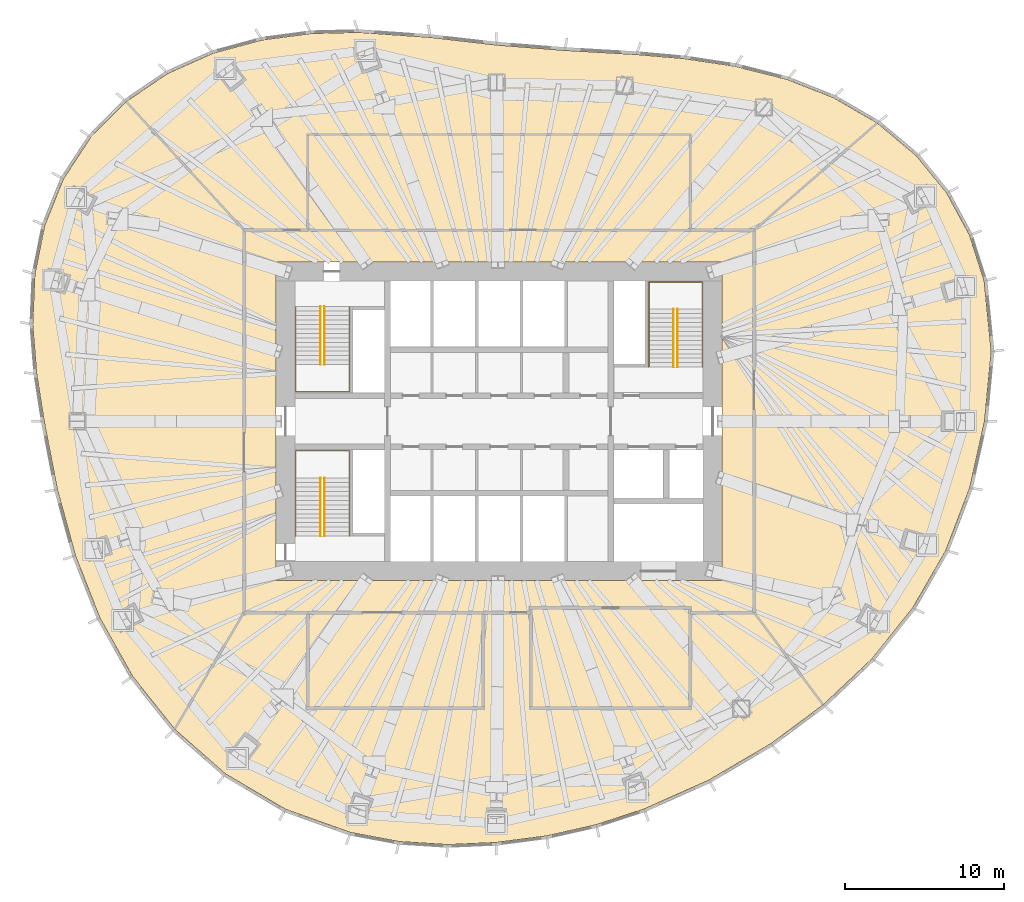
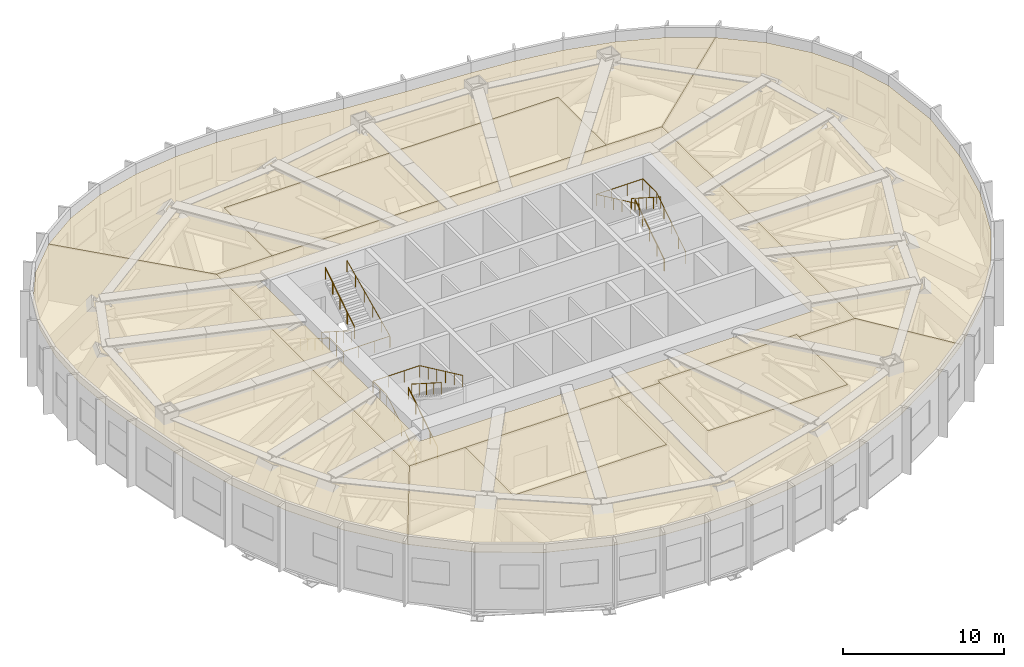
# One storey, part 12 of 12: 9 railings, 8 coverings.
"""IFC4 building model written with IfcOpenShell, lengths in metres."""

import ifcopenshell
import ifcopenshell.guid

model = None  # the IFC model being written
_history = None  # IfcOwnerHistory: only IFC2X3 demands one
_inside = {}  # id of a spatial element -> (the spatial element, [elements in it])
_under = {}  # id of a project, library or spatial element -> (it, [spatial elements below it])
_declared = {}  # id of a project -> (the project, [libraries it declares])
_typed = {}  # id of a type object -> (the type object, [elements of that type])
_made_of = {}  # id of a material, layer set ... -> (it, [elements and type objects made of it])


def new_model(schema):
    """Start an empty IFC model of exactly this schema.

    Asked for "IFC4X3", IfcOpenShell would pick the latest addendum, in which some entities
    have other attributes; the version numbers below select the first issue.
    IFC2X3 requires an IfcOwnerHistory on every rooted entity: one is made here for all.
    """
    global model, _history
    if schema == "IFC4X3":
        model = ifcopenshell.file(schema_version=(4, 3, 0, 0))
    else:
        model = ifcopenshell.file(schema=schema)
    _inside.clear()
    _under.clear()
    _declared.clear()
    _typed.clear()
    _made_of.clear()
    _history = None
    if model.schema == "IFC2X3":
        org = make("IfcOrganization", Name="unknown")
        user = make(
            "IfcPersonAndOrganization",
            ThePerson=make("IfcPerson", FamilyName="unknown"),
            TheOrganization=org,
        )
        app = make(
            "IfcApplication",
            ApplicationDeveloper=org,
            Version="unknown",
            ApplicationFullName="unknown",
            ApplicationIdentifier="unknown",
        )
        _history = make(
            "IfcOwnerHistory",
            OwningUser=user,
            OwningApplication=app,
            ChangeAction="ADDED",
            CreationDate=0,
        )
    return model


def make(cls, **values):
    """One entity of the class cls with the attributes given. An attribute that is None is left unset."""
    return model.create_entity(
        cls, **{name: value for name, value in values.items() if value is not None}
    )


def rooted(cls, **values):
    """An entity with a GlobalId (a new one), such as an element, a storey or a relation."""
    return make(cls, GlobalId=ifcopenshell.guid.new(), OwnerHistory=_history, **values)


def si_unit(unit_type, name, prefix=None):
    """IfcSIUnit, for example si_unit("LENGTHUNIT", "METRE", prefix="MILLI")."""
    return make("IfcSIUnit", UnitType=unit_type, Prefix=prefix, Name=name)


def assignment(units):
    """IfcUnitAssignment: the units of a project."""
    return None if units is None else make("IfcUnitAssignment", Units=units)


def point(xyz):
    """IfcCartesianPoint."""
    return None if xyz is None else make("IfcCartesianPoint", Coordinates=xyz)


def direction(xyz):
    """IfcDirection."""
    return None if xyz is None else make("IfcDirection", DirectionRatios=xyz)


def frame(location, z_axis=None, x_axis=None):
    """IfcAxis2Placement3D, a coordinate frame: its origin and axes. An axis left out is left unset."""
    return make(
        "IfcAxis2Placement3D",
        Location=point(location),
        Axis=direction(z_axis),
        RefDirection=direction(x_axis),
    )


def frame_2d(location, x_axis=None):
    """IfcAxis2Placement2D, a coordinate frame in the plane: its origin and x axis."""
    return make(
        "IfcAxis2Placement2D", Location=point(location), RefDirection=direction(x_axis)
    )


def origin():
    """The frame at (0, 0, 0) with its axes left unset."""
    return frame((0.0, 0.0, 0.0))


def origin_2d():
    """The frame at (0, 0) in the plane with its x axis left unset."""
    return frame_2d((0.0, 0.0))


def place(relative_to, where):
    """IfcLocalPlacement: puts the frame where relative to a parent placement (None: the world)."""
    return make(
        "IfcLocalPlacement", PlacementRelTo=relative_to, RelativePlacement=where
    )


def context(
    kind, dimensions, precision=None, world=None, true_north=None, identifier=None
):
    """IfcGeometricRepresentationContext, for example the 3D "Model" context."""
    return make(
        "IfcGeometricRepresentationContext",
        ContextIdentifier=identifier,
        ContextType=kind,
        CoordinateSpaceDimension=dimensions,
        Precision=precision,
        WorldCoordinateSystem=world,
        TrueNorth=true_north,
    )


def subcontext(parent, identifier, kind, view, scale=None):
    """IfcGeometricRepresentationSubContext, for example "Body" below "Model"."""
    return make(
        "IfcGeometricRepresentationSubContext",
        ContextIdentifier=identifier,
        ContextType=kind,
        ParentContext=parent,
        TargetScale=scale,
        TargetView=view,
    )


def project(units=None, contexts=None):
    """IfcProject with its units and contexts."""
    return rooted(
        "IfcProject",
        Name="project",
        RepresentationContexts=contexts,
        UnitsInContext=assignment(units),
    )


def spatial(cls, under=None, at=None, **own):
    """A site, building, storey or space (cls), placed at a placement, below another one or the project."""
    s = rooted(cls, ObjectPlacement=at, **own)
    if under is not None:
        _under.setdefault(under.id(), (under, []))[1].append(s)
    return s


def polyline(points):
    """IfcPolyline through the points."""
    return make("IfcPolyline", Points=[point(p) for p in points])


def profile(cls, at=None, kind="AREA", **sizes):
    """A parametric profile (cls). Its sizes go by their IFC names, for example OverallWidth=200.0."""
    return make(cls, ProfileType=kind, Position=at, **sizes)


def circle(**sizes):
    """IfcCircleProfileDef."""
    return profile("IfcCircleProfileDef", **sizes)


def outline(outer, holes=None, kind="AREA"):
    """IfcArbitraryClosedProfileDef: a profile drawn as a closed curve; with holes, ...WithVoids."""
    if holes is None:
        return make("IfcArbitraryClosedProfileDef", ProfileType=kind, OuterCurve=outer)
    return make(
        "IfcArbitraryProfileDefWithVoids",
        ProfileType=kind,
        OuterCurve=outer,
        InnerCurves=holes,
    )


def extrude(swept, where, along, depth):
    """IfcExtrudedAreaSolid: the profile swept, set in the frame where, extruded along a direction by depth."""
    return make(
        "IfcExtrudedAreaSolid",
        SweptArea=swept,
        Position=where,
        ExtrudedDirection=direction(along),
        Depth=depth,
    )


def shape(context_of_items, identifier, shape_type, items):
    """IfcShapeRepresentation: the items that make up one representation, for example the "Body"."""
    return make(
        "IfcShapeRepresentation",
        ContextOfItems=context_of_items,
        RepresentationIdentifier=identifier,
        RepresentationType=shape_type,
        Items=items,
    )


def material(Name=None, Category=None):
    """IfcMaterial."""
    return make("IfcMaterial", Name=Name, Category=Category)


def layer(
    of_material, thickness, ventilated=None, Name=None, Category=None, Priority=None
):
    """IfcMaterialLayer: one layer of a wall or slab, of a material (None: an air gap)."""
    return make(
        "IfcMaterialLayer",
        Material=of_material,
        LayerThickness=thickness,
        IsVentilated=ventilated,
        Name=Name,
        Category=Category,
        Priority=Priority,
    )


def layer_set(layers, Name=None):
    """IfcMaterialLayerSet."""
    return make("IfcMaterialLayerSet", MaterialLayers=layers, LayerSetName=Name)


def made_of(thing, what):
    """Note that an element or type object is made of a material, layer set ...; save() writes the relation."""
    if what is not None:
        _made_of.setdefault(what.id(), (what, []))[1].append(thing)
    return thing


def type_object(cls, material=None, **own):
    """A type object (cls), such as IfcWallType, which elements share."""
    return made_of(rooted(cls, **own), material)


def element(
    cls,
    number,
    at=None,
    inside=None,
    cuts=None,
    type_object=None,
    material=None,
    context=None,
    identifier="Body",
    shape_type=None,
    held_by="IfcProductDefinitionShape",
    body=None,
    shapes=None,
    **own,
):
    """One element of the class cls, such as IfcWall. Its Tag is "e" and its number.

    at: its placement. inside: the storey or other place that contains it. cuts: it is an
    opening in that element (IfcRelVoidsElement). A single representation is given by context,
    identifier, shape_type and body (its items); several are given by shapes. held_by: the class
    of the entity that holds the representations. save() writes the other relations.
    """
    e = rooted(cls, Tag="e%d" % number, ObjectPlacement=at, **own)
    if body is not None:
        shapes = [shape(context, identifier, shape_type, body)]
    if shapes is not None:
        e.Representation = make(held_by, Representations=shapes)
    if inside is not None:
        _inside.setdefault(inside.id(), (inside, []))[1].append(e)
    if cuts is not None:
        rooted(
            "IfcRelVoidsElement", RelatingBuildingElement=cuts, RelatedOpeningElement=e
        )
    if type_object is not None:
        _typed.setdefault(type_object.id(), (type_object, []))[1].append(e)
    return made_of(e, material)


def aggregate(whole, parts):
    """IfcRelAggregates: a whole, such as a stair, and the parts it consists of."""
    return rooted("IfcRelAggregates", RelatingObject=whole, RelatedObjects=parts)


def save(model, path):
    """Write the relations noted so far, then the file.

    IfcRelAggregates (storeys below a building ...), IfcRelContainedInSpatialStructure (elements
    in a storey), IfcRelDefinesByType, IfcRelAssociatesMaterial and IfcRelDeclares: one each for
    every whole, place, type object, material and project.
    """
    for whole, parts in _under.values():
        aggregate(whole, parts)
    for where, things in _inside.values():
        rooted(
            "IfcRelContainedInSpatialStructure",
            RelatedElements=things,
            RelatingStructure=where,
        )
    for kind, things in _typed.values():
        rooted("IfcRelDefinesByType", RelatedObjects=things, RelatingType=kind)
    for what, things in _made_of.values():
        rooted("IfcRelAssociatesMaterial", RelatedObjects=things, RelatingMaterial=what)
    for by, libraries in _declared.values():
        rooted("IfcRelDeclares", RelatingContext=by, RelatedDefinitions=libraries)
    model.write(path)


model = new_model("IFC4")

# Units and contexts
model_context = context("Model", 3, precision=1e-05, world=origin(), true_north=direction((0.0, 1.0)))
body_context = subcontext(model_context, "Body", "Model", "MODEL_VIEW")
ifc_project = project(units=[si_unit("LENGTHUNIT", "METRE"), si_unit("AREAUNIT", "SQUARE_METRE"), si_unit("VOLUMEUNIT", "CUBIC_METRE"), si_unit("PLANEANGLEUNIT", "RADIAN"), si_unit("MASSUNIT", "GRAM", prefix="KILO")], contexts=[model_context])

# Site, building, storey
site_placement = place(None, origin())
site = spatial("IfcSite", under=ifc_project, at=site_placement, CompositionType="ELEMENT")
building_placement = place(site_placement, origin())
building = spatial("IfcBuilding", under=site, at=building_placement, Name="Ghaith Harvest Tower", CompositionType="ELEMENT")
storey_placement = place(building_placement, frame((0.0, 0.0, 189.800048828125)))
storey = spatial("IfcBuildingStorey", under=building, at=storey_placement, Name="L41", CompositionType="ELEMENT", Elevation=189.800048828125)

# Coverings
ifc_material_1 = material(Name="Mineral fibre ceiling tile", Category="gypsum")
ifc_layer = layer(ifc_material_1, 0.02490234375)
ifc_layer_set = layer_set([ifc_layer], Name="CEILING C2")
covering_type = type_object("IfcCoveringType", Name="CEILING C2", PredefinedType="CEILING", material=ifc_layer_set)
covering_1_placement = place(storey_placement, frame((0.0, 0.0, 4.199951171875)))
element("IfcCovering", 1, at=covering_1_placement, inside=storey, type_object=covering_type, Name="Ceiling L41-01", PredefinedType="CEILING", context=body_context, shape_type="SweptSolid", body=[
    extrude(outline(polyline([(-12.0, 12.0), (12.0, 12.0), (12.0, 18.0), (-12.0, 18.0), (-12.0, 12.0)])), origin(), (0.0, 0.0, 1.0), 0.02490234375),
])
covering_2_placement = place(storey_placement, frame((0.0, 0.0, 4.199951171875)))
element("IfcCovering", 2, at=covering_2_placement, inside=storey, type_object=covering_type, Name="Ceiling L41-02", PredefinedType="CEILING", context=body_context, shape_type="SweptSolid", body=[
    extrude(outline(polyline([(-12.0, -18.0), (-1.0, -18.0), (-1.0, -12.0), (-12.0, -12.0), (-12.0, -18.0)])), origin(), (0.0, 0.0, 1.0), 0.02490234375),
])
covering_3_placement = place(storey_placement, frame((0.0, 0.0, 4.199951171875)))
element("IfcCovering", 3, at=covering_3_placement, inside=storey, type_object=covering_type, Name="Ceiling L41-03", PredefinedType="CEILING", context=body_context, shape_type="SweptSolid", body=[
    extrude(outline(polyline([(2.0, -18.0), (12.0, -18.0), (12.0, -11.699951171875), (2.0, -11.699951171875), (2.0, -18.0)])), origin(), (0.0, 0.0, 1.0), 0.02490234375),
])
covering_4_placement = place(storey_placement, frame((0.0, 0.0, 4.199951171875)))
element("IfcCovering", 4, at=covering_4_placement, inside=storey, type_object=covering_type, Name="Ceiling L41-C1", PredefinedType="CEILING", context=body_context, shape_type="SweptSolid", body=[
    extrude(outline(polyline([(-16.0, 12.0), (16.0, 12.0), (16.0, -12.0), (12.0, -12.0), (12.0, -11.699951171875), (2.0, -11.699951171875), (2.0, -12.0), (-16.0, -12.0), (-16.0, 12.0)]), holes=[polyline([(14.0, -10.0), (14.0, 10.0), (-14.0, 10.0), (-14.0, -10.0), (14.0, -10.0)])]), origin(), (0.0, 0.0, 1.0), 0.02490234375),
])
covering_5_placement = place(storey_placement, frame((0.0, 0.0, 4.199951171875)))
element("IfcCovering", 5, at=covering_5_placement, inside=storey, type_object=covering_type, Name="Ceiling L41-N1", PredefinedType="CEILING", context=body_context, shape_type="SweptSolid", body=[
    extrude(outline(polyline([(-20.79248046875, 21.82470703125), (-17.938232421875, 23.097412109375), (-14.860595703125, 23.927978515625), (-11.788818359375, 24.331787109375), (-8.814208984375, 24.404541015625), (-4.302001953125, 24.089111328125), (-0.16162109375, 23.609619140625), (4.125732421875, 23.272705078125), (8.604736328125, 23.017333984375), (11.617919921875, 22.757080078125), (14.79833984375, 22.27978515625), (18.0849609375, 21.4462890625), (20.97998046875, 20.3056640625), (23.7275390625, 18.718017578125), (16.0, 12.0), (12.0, 12.0), (12.0, 18.0), (-12.0, 18.0), (-12.0, 12.0), (-16.0, 12.0), (-23.398193359375, 20.06103515625), (-20.79248046875, 21.82470703125)])), origin(), (0.0, 0.0, 1.0), 0.02490234375),
])
covering_6_placement = place(storey_placement, frame((0.0, 0.0, 4.199951171875)))
element("IfcCovering", 6, at=covering_6_placement, inside=storey, type_object=covering_type, Name="Ceiling L41-E1", PredefinedType="CEILING", context=body_context, shape_type="SweptSolid", body=[
    extrude(outline(polyline([(26.179443359375, 16.660888671875), (28.0888671875, 14.32568359375), (29.52294921875, 11.671875), (30.439208984375, 8.797607421875), (30.8798828125, 4.373046875), (30.458740234375, 0.0), (29.527099609375, -4.181396484375), (28.03125, -8.1015625), (25.94775390625, -11.714111328125), (23.400390625, -14.89208984375), (20.33935546875, -17.784912109375), (16.0, -12.0), (16.0, 12.0), (23.7275390625, 18.718017578125), (26.179443359375, 16.660888671875)])), origin(), (0.0, 0.0, 1.0), 0.02490234375),
])
covering_7_placement = place(storey_placement, frame((0.0, 0.0, 4.199951171875)))
element("IfcCovering", 7, at=covering_7_placement, inside=storey, type_object=covering_type, Name="Ceiling L41-S1", PredefinedType="CEILING", context=body_context, shape_type="SweptSolid", body=[
    extrude(outline(polyline([(17.054443359375, -20.22412109375), (13.163818359375, -22.510498046875), (9.09423828125, -24.326904296875), (6.09228515625, -25.308837890625), (2.99609375, -26.010009765625), (-0.180908203125, -26.423583984375), (-3.204833984375, -26.556884765625), (-6.2666015625, -26.366455078125), (-9.317138671875, -25.79638671875), (-13.4052734375, -24.33740234375), (-17.1728515625, -22.11181640625), (-20.35400390625, -19.31396484375), (-16.0, -12.0), (-12.0, -12.0), (-12.0, -18.0), (-1.0, -18.0), (-1.0, -12.0), (2.0, -12.0), (2.0, -18.0), (12.0, -18.0), (12.0, -12.0), (16.0, -12.0), (20.33935546875, -17.784912109375), (17.054443359375, -20.22412109375)])), origin(), (0.0, 0.0, 1.0), 0.02490234375),
])
covering_8_placement = place(storey_placement, frame((0.0, 0.0, 4.199951171875)))
element("IfcCovering", 8, at=covering_8_placement, inside=storey, type_object=covering_type, Name="Ceiling L41-W1", PredefinedType="CEILING", context=body_context, shape_type="SweptSolid", body=[
    extrude(outline(polyline([(-22.99169921875, -15.997802734375), (-25.046875, -12.32861328125), (-26.580078125, -8.423583984375), (-27.70947265625, -4.285888671875), (-28.541259765625, 0.0), (-29.01171875, 2.978271484375), (-29.260498046875, 6.07177734375), (-29.12646484375, 9.230712890625), (-28.506591796875, 12.29638671875), (-27.33837890625, 15.204833984375), (-25.61962890625, 17.826416015625), (-23.398193359375, 20.06103515625), (-16.0, 12.0), (-16.0, -12.0), (-20.35400390625, -19.31396484375), (-22.99169921875, -15.997802734375)])), origin(), (0.0, 0.0, 1.0), 0.02490234375),
])

# Railings
ifc_material_2 = material(Name="Steel, black powder-coated", Category="steel")
railing_type = type_object("IfcRailingType", Name="HANDRAIL HR1", PredefinedType="HANDRAIL", material=ifc_material_2)
railing_1_placement = place(storey_placement, frame((-11.199951171875, 7.199951171875, 0.178466796875)))
element("IfcRailing", 9, at=railing_1_placement, inside=storey, type_object=railing_type, Name="Handrail HR1 stair ST1 L41 flight 1 inner", PredefinedType="HANDRAIL", context=body_context, shape_type="SweptSolid", body=[
    extrude(circle(Radius=0.02392578125, at=origin_2d()), frame((0.0, 0.0, 0.8759765625), z_axis=(0.0, -0.843111507901, 0.53773877045), x_axis=(1.0, 0.0, 0.0)), (0.0, 0.0, 1.0), 4.317138671875),
    extrude(circle(Radius=0.02099609375, at=origin_2d()), origin(), (0.0, 0.0, 1.0), 0.851806640625),
    extrude(circle(Radius=0.02099609375, at=origin_2d()), frame((0.0, -0.909912109375, 0.580322265625)), (0.0, 0.0, 1.0), 0.851806640625),
    extrude(circle(Radius=0.02099609375, at=origin_2d()), frame((0.0, -1.81982421875, 1.16064453125)), (0.0, 0.0, 1.0), 0.851806640625),
    extrude(circle(Radius=0.02099609375, at=origin_2d()), frame((0.0, -2.72998046875, 1.7412109375)), (0.0, 0.0, 1.0), 0.851806640625),
    extrude(circle(Radius=0.02099609375, at=origin_2d()), frame((0.0, -3.639892578125, 2.321533203125)), (0.0, 0.0, 1.0), 0.851806640625),
])
railing_2_placement = place(storey_placement, frame((-10.949951171875, 3.56005859375, 2.678466796875)))
element("IfcRailing", 10, at=railing_2_placement, inside=storey, type_object=railing_type, Name="Handrail HR1 stair ST1 L41 flight 2 inner", PredefinedType="HANDRAIL", context=body_context, shape_type="SweptSolid", body=[
    extrude(circle(Radius=0.02392578125, at=origin_2d()), frame((0.0, 0.0, 0.8759765625), z_axis=(0.0, 0.843111507901, 0.53773877045), x_axis=(-1.0, 0.0, 0.0)), (0.0, 0.0, 1.0), 4.317138671875),
    extrude(circle(Radius=0.02099609375, at=origin_2d()), origin(), (0.0, 0.0, 1.0), 0.851806640625),
    extrude(circle(Radius=0.02099609375, at=origin_2d()), frame((0.0, 0.909912109375, 0.580322265625)), (0.0, 0.0, 1.0), 0.851806640625),
    extrude(circle(Radius=0.02099609375, at=origin_2d()), frame((0.0, 1.81982421875, 1.16064453125)), (0.0, 0.0, 1.0), 0.851806640625),
    extrude(circle(Radius=0.02099609375, at=origin_2d()), frame((0.0, 2.72998046875, 1.7412109375)), (0.0, 0.0, 1.0), 0.851806640625),
    extrude(circle(Radius=0.02099609375, at=origin_2d()), frame((0.0, 3.639892578125, 2.321533203125)), (0.0, 0.0, 1.0), 0.851806640625),
])
railing_3_placement = place(storey_placement, frame((-12.75, 7.199951171875, 0.178466796875)))
element("IfcRailing", 11, at=railing_3_placement, inside=storey, type_object=railing_type, Name="Handrail HR1 stair ST1 L41 wall side", PredefinedType="HANDRAIL", context=body_context, shape_type="SweptSolid", body=[
    extrude(circle(Radius=0.02392578125, at=origin_2d()), frame((0.0, 0.0, 0.8759765625), z_axis=(0.0, -0.843111507901, 0.53773877045), x_axis=(1.0, 0.0, 0.0)), (0.0, 0.0, 1.0), 4.317138671875),
    extrude(circle(Radius=0.02392578125, at=origin_2d()), frame((0.0, -3.639892578125, 3.197265625), z_axis=(0.0, -1.0, 0.0), x_axis=(1.0, 0.0, 0.0)), (0.0, 0.0, 1.0), 1.7099609375),
    extrude(circle(Radius=0.02392578125, at=origin_2d()), frame((0.0, -5.349853515625, 3.197265625), z_axis=(1.0, 0.0, 0.0), x_axis=(0.0, 1.0, 0.0)), (0.0, 0.0, 1.0), 3.35009765625),
    extrude(circle(Radius=0.02392578125, at=origin_2d()), frame((3.35009765625, -5.349853515625, 3.197265625), z_axis=(0.0, 0.905962265858, 0.423358444868), x_axis=(-1.0, 0.0, 0.0)), (0.0, 0.0, 1.0), 5.9052734375),
    extrude(circle(Radius=0.02099609375, at=origin_2d()), origin(), (0.0, 0.0, 1.0), 0.851806640625),
    extrude(circle(Radius=0.02099609375, at=origin_2d()), frame((0.0, -0.909912109375, 0.580322265625)), (0.0, 0.0, 1.0), 0.851806640625),
    extrude(circle(Radius=0.02099609375, at=origin_2d()), frame((0.0, -1.81982421875, 1.16064453125)), (0.0, 0.0, 1.0), 0.851806640625),
    extrude(circle(Radius=0.02099609375, at=origin_2d()), frame((0.0, -2.72998046875, 1.7412109375)), (0.0, 0.0, 1.0), 0.851806640625),
    extrude(circle(Radius=0.02099609375, at=origin_2d()), frame((0.0, -3.639892578125, 2.321533203125)), (0.0, 0.0, 1.0), 0.851806640625),
    extrude(circle(Radius=0.02099609375, at=origin_2d()), frame((0.0, -4.494873046875, 2.321533203125)), (0.0, 0.0, 1.0), 0.851806640625),
    extrude(circle(Radius=0.02099609375, at=origin_2d()), frame((0.0, -5.349853515625, 2.321533203125)), (0.0, 0.0, 1.0), 0.851806640625),
    extrude(circle(Radius=0.02099609375, at=origin_2d()), frame((1.11669921875, -5.349853515625, 2.321533203125)), (0.0, 0.0, 1.0), 0.851806640625),
    extrude(circle(Radius=0.02099609375, at=origin_2d()), frame((2.2333984375, -5.349853515625, 2.321533203125)), (0.0, 0.0, 1.0), 0.851806640625),
    extrude(circle(Radius=0.02099609375, at=origin_2d()), frame((3.35009765625, -5.349853515625, 2.321533203125)), (0.0, 0.0, 1.0), 0.851806640625),
    extrude(circle(Radius=0.02099609375, at=origin_2d()), frame((3.35009765625, -4.27978515625, 2.821533203125)), (0.0, 0.0, 1.0), 0.851806640625),
    extrude(circle(Radius=0.02099609375, at=origin_2d()), frame((3.35009765625, -3.2099609375, 3.321533203125)), (0.0, 0.0, 1.0), 0.851806640625),
    extrude(circle(Radius=0.02099609375, at=origin_2d()), frame((3.35009765625, -2.139892578125, 3.821533203125)), (0.0, 0.0, 1.0), 0.851806640625),
    extrude(circle(Radius=0.02099609375, at=origin_2d()), frame((3.35009765625, -1.070068359375, 4.321533203125)), (0.0, 0.0, 1.0), 0.851806640625),
    extrude(circle(Radius=0.02099609375, at=origin_2d()), frame((3.35009765625, 0.0, 4.821533203125)), (0.0, 0.0, 1.0), 0.851806640625),
])
railing_4_placement = place(storey_placement, frame((-11.199951171875, -7.199951171875, 0.178466796875)))
element("IfcRailing", 12, at=railing_4_placement, inside=storey, type_object=railing_type, Name="Handrail HR1 stair ST3 L41 flight 1 inner", PredefinedType="HANDRAIL", context=body_context, shape_type="SweptSolid", body=[
    extrude(circle(Radius=0.02392578125, at=origin_2d()), frame((0.0, 0.0, 0.8759765625), z_axis=(0.0, 0.843111507901, 0.53773877045), x_axis=(-1.0, 0.0, 0.0)), (0.0, 0.0, 1.0), 4.317138671875),
    extrude(circle(Radius=0.02099609375, at=origin_2d()), origin(), (0.0, 0.0, 1.0), 0.851806640625),
    extrude(circle(Radius=0.02099609375, at=origin_2d()), frame((0.0, 0.909912109375, 0.580322265625)), (0.0, 0.0, 1.0), 0.851806640625),
    extrude(circle(Radius=0.02099609375, at=origin_2d()), frame((0.0, 1.81982421875, 1.16064453125)), (0.0, 0.0, 1.0), 0.851806640625),
    extrude(circle(Radius=0.02099609375, at=origin_2d()), frame((0.0, 2.72998046875, 1.7412109375)), (0.0, 0.0, 1.0), 0.851806640625),
    extrude(circle(Radius=0.02099609375, at=origin_2d()), frame((0.0, 3.639892578125, 2.321533203125)), (0.0, 0.0, 1.0), 0.851806640625),
])
railing_5_placement = place(storey_placement, frame((-10.949951171875, -3.56005859375, 2.678466796875)))
element("IfcRailing", 13, at=railing_5_placement, inside=storey, type_object=railing_type, Name="Handrail HR1 stair ST3 L41 flight 2 inner", PredefinedType="HANDRAIL", context=body_context, shape_type="SweptSolid", body=[
    extrude(circle(Radius=0.02392578125, at=origin_2d()), frame((0.0, 0.0, 0.8759765625), z_axis=(0.0, -0.843111507901, 0.53773877045), x_axis=(1.0, 0.0, 0.0)), (0.0, 0.0, 1.0), 4.317138671875),
    extrude(circle(Radius=0.02099609375, at=origin_2d()), origin(), (0.0, 0.0, 1.0), 0.851806640625),
    extrude(circle(Radius=0.02099609375, at=origin_2d()), frame((0.0, -0.909912109375, 0.580322265625)), (0.0, 0.0, 1.0), 0.851806640625),
    extrude(circle(Radius=0.02099609375, at=origin_2d()), frame((0.0, -1.81982421875, 1.16064453125)), (0.0, 0.0, 1.0), 0.851806640625),
    extrude(circle(Radius=0.02099609375, at=origin_2d()), frame((0.0, -2.72998046875, 1.7412109375)), (0.0, 0.0, 1.0), 0.851806640625),
    extrude(circle(Radius=0.02099609375, at=origin_2d()), frame((0.0, -3.639892578125, 2.321533203125)), (0.0, 0.0, 1.0), 0.851806640625),
])
railing_6_placement = place(storey_placement, frame((-12.75, -7.199951171875, 0.178466796875)))
element("IfcRailing", 14, at=railing_6_placement, inside=storey, type_object=railing_type, Name="Handrail HR1 stair ST3 L41 wall side", PredefinedType="HANDRAIL", context=body_context, shape_type="SweptSolid", body=[
    extrude(circle(Radius=0.02392578125, at=origin_2d()), frame((0.0, 0.0, 0.8759765625), z_axis=(0.0, 0.843111507901, 0.53773877045), x_axis=(-1.0, 0.0, 0.0)), (0.0, 0.0, 1.0), 4.317138671875),
    extrude(circle(Radius=0.02392578125, at=origin_2d()), frame((0.0, 3.639892578125, 3.197265625), z_axis=(0.0, 1.0, 0.0), x_axis=(-1.0, 0.0, 0.0)), (0.0, 0.0, 1.0), 1.7099609375),
    extrude(circle(Radius=0.02392578125, at=origin_2d()), frame((0.0, 5.349853515625, 3.197265625), z_axis=(1.0, 0.0, 0.0), x_axis=(0.0, 1.0, 0.0)), (0.0, 0.0, 1.0), 3.35009765625),
    extrude(circle(Radius=0.02392578125, at=origin_2d()), frame((3.35009765625, 5.349853515625, 3.197265625), z_axis=(0.0, -0.905962265858, 0.423358444868), x_axis=(1.0, 0.0, 0.0)), (0.0, 0.0, 1.0), 5.9052734375),
    extrude(circle(Radius=0.02099609375, at=origin_2d()), origin(), (0.0, 0.0, 1.0), 0.851806640625),
    extrude(circle(Radius=0.02099609375, at=origin_2d()), frame((0.0, 0.909912109375, 0.580322265625)), (0.0, 0.0, 1.0), 0.851806640625),
    extrude(circle(Radius=0.02099609375, at=origin_2d()), frame((0.0, 1.81982421875, 1.16064453125)), (0.0, 0.0, 1.0), 0.851806640625),
    extrude(circle(Radius=0.02099609375, at=origin_2d()), frame((0.0, 2.72998046875, 1.7412109375)), (0.0, 0.0, 1.0), 0.851806640625),
    extrude(circle(Radius=0.02099609375, at=origin_2d()), frame((0.0, 3.639892578125, 2.321533203125)), (0.0, 0.0, 1.0), 0.851806640625),
    extrude(circle(Radius=0.02099609375, at=origin_2d()), frame((0.0, 4.494873046875, 2.321533203125)), (0.0, 0.0, 1.0), 0.851806640625),
    extrude(circle(Radius=0.02099609375, at=origin_2d()), frame((0.0, 5.349853515625, 2.321533203125)), (0.0, 0.0, 1.0), 0.851806640625),
    extrude(circle(Radius=0.02099609375, at=origin_2d()), frame((1.11669921875, 5.349853515625, 2.321533203125)), (0.0, 0.0, 1.0), 0.851806640625),
    extrude(circle(Radius=0.02099609375, at=origin_2d()), frame((2.2333984375, 5.349853515625, 2.321533203125)), (0.0, 0.0, 1.0), 0.851806640625),
    extrude(circle(Radius=0.02099609375, at=origin_2d()), frame((3.35009765625, 5.349853515625, 2.321533203125)), (0.0, 0.0, 1.0), 0.851806640625),
    extrude(circle(Radius=0.02099609375, at=origin_2d()), frame((3.35009765625, 4.27978515625, 2.821533203125)), (0.0, 0.0, 1.0), 0.851806640625),
    extrude(circle(Radius=0.02099609375, at=origin_2d()), frame((3.35009765625, 3.2099609375, 3.321533203125)), (0.0, 0.0, 1.0), 0.851806640625),
    extrude(circle(Radius=0.02099609375, at=origin_2d()), frame((3.35009765625, 2.139892578125, 3.821533203125)), (0.0, 0.0, 1.0), 0.851806640625),
    extrude(circle(Radius=0.02099609375, at=origin_2d()), frame((3.35009765625, 1.070068359375, 4.321533203125)), (0.0, 0.0, 1.0), 0.851806640625),
    extrude(circle(Radius=0.02099609375, at=origin_2d()), frame((3.35009765625, 0.0, 4.821533203125)), (0.0, 0.0, 1.0), 0.851806640625),
])
railing_7_placement = place(storey_placement, frame((11.199951171875, 3.39990234375, 0.178466796875)))
element("IfcRailing", 15, at=railing_7_placement, inside=storey, type_object=railing_type, Name="Handrail HR1 stair ST2 L41 flight 1 inner", PredefinedType="HANDRAIL", context=body_context, shape_type="SweptSolid", body=[
    extrude(circle(Radius=0.02392578125, at=origin_2d()), frame((0.0, 0.0, 0.8759765625), z_axis=(0.0, 0.843127859045, 0.537713132908), x_axis=(-1.0, 0.0, 0.0)), (0.0, 0.0, 1.0), 4.3173828125),
    extrude(circle(Radius=0.02099609375, at=origin_2d()), origin(), (0.0, 0.0, 1.0), 0.851806640625),
    extrude(circle(Radius=0.02099609375, at=origin_2d()), frame((0.0, 0.91015625, 0.580322265625)), (0.0, 0.0, 1.0), 0.851806640625),
    extrude(circle(Radius=0.02099609375, at=origin_2d()), frame((0.0, 1.820068359375, 1.16064453125)), (0.0, 0.0, 1.0), 0.851806640625),
    extrude(circle(Radius=0.02099609375, at=origin_2d()), frame((0.0, 2.72998046875, 1.7412109375)), (0.0, 0.0, 1.0), 0.851806640625),
    extrude(circle(Radius=0.02099609375, at=origin_2d()), frame((0.0, 3.64013671875, 2.321533203125)), (0.0, 0.0, 1.0), 0.851806640625),
])
railing_8_placement = place(storey_placement, frame((10.949951171875, 7.0400390625, 2.678466796875)))
element("IfcRailing", 16, at=railing_8_placement, inside=storey, type_object=railing_type, Name="Handrail HR1 stair ST2 L41 flight 2 inner", PredefinedType="HANDRAIL", context=body_context, shape_type="SweptSolid", body=[
    extrude(circle(Radius=0.02392578125, at=origin_2d()), frame((0.0, 0.0, 0.8759765625), z_axis=(0.0, -0.843127859045, 0.537713132908), x_axis=(1.0, 0.0, 0.0)), (0.0, 0.0, 1.0), 4.3173828125),
    extrude(circle(Radius=0.02099609375, at=origin_2d()), origin(), (0.0, 0.0, 1.0), 0.851806640625),
    extrude(circle(Radius=0.02099609375, at=origin_2d()), frame((0.0, -0.91015625, 0.580322265625)), (0.0, 0.0, 1.0), 0.851806640625),
    extrude(circle(Radius=0.02099609375, at=origin_2d()), frame((0.0, -1.820068359375, 1.16064453125)), (0.0, 0.0, 1.0), 0.851806640625),
    extrude(circle(Radius=0.02099609375, at=origin_2d()), frame((0.0, -2.72998046875, 1.7412109375)), (0.0, 0.0, 1.0), 0.851806640625),
    extrude(circle(Radius=0.02099609375, at=origin_2d()), frame((0.0, -3.64013671875, 2.321533203125)), (0.0, 0.0, 1.0), 0.851806640625),
])
railing_9_placement = place(storey_placement, frame((12.75, 3.39990234375, 0.178466796875)))
element("IfcRailing", 17, at=railing_9_placement, inside=storey, type_object=railing_type, Name="Handrail HR1 stair ST2 L41 wall side", PredefinedType="HANDRAIL", context=body_context, shape_type="SweptSolid", body=[
    extrude(circle(Radius=0.02392578125, at=origin_2d()), frame((0.0, 0.0, 0.8759765625), z_axis=(0.0, 0.843127859045, 0.537713132908), x_axis=(-1.0, 0.0, 0.0)), (0.0, 0.0, 1.0), 4.3173828125),
    extrude(circle(Radius=0.02392578125, at=origin_2d()), frame((0.0, 3.64013671875, 3.197265625), z_axis=(0.0, 1.0, 0.0), x_axis=(-1.0, 0.0, 0.0)), (0.0, 0.0, 1.0), 1.7099609375),
    extrude(circle(Radius=0.02392578125, at=origin_2d()), frame((0.0, 5.35009765625, 3.197265625), z_axis=(-1.0, 0.0, 0.0), x_axis=(0.0, -1.0, 0.0)), (0.0, 0.0, 1.0), 3.35009765625),
    extrude(circle(Radius=0.02392578125, at=origin_2d()), frame((-3.35009765625, 5.35009765625, 3.197265625), z_axis=(0.0, -0.905969675553, 0.423342588193), x_axis=(1.0, 0.0, 0.0)), (0.0, 0.0, 1.0), 5.9052734375),
    extrude(circle(Radius=0.02099609375, at=origin_2d()), origin(), (0.0, 0.0, 1.0), 0.851806640625),
    extrude(circle(Radius=0.02099609375, at=origin_2d()), frame((0.0, 0.91015625, 0.580322265625)), (0.0, 0.0, 1.0), 0.851806640625),
    extrude(circle(Radius=0.02099609375, at=origin_2d()), frame((0.0, 1.820068359375, 1.16064453125)), (0.0, 0.0, 1.0), 0.851806640625),
    extrude(circle(Radius=0.02099609375, at=origin_2d()), frame((0.0, 2.72998046875, 1.7412109375)), (0.0, 0.0, 1.0), 0.851806640625),
    extrude(circle(Radius=0.02099609375, at=origin_2d()), frame((0.0, 3.64013671875, 2.321533203125)), (0.0, 0.0, 1.0), 0.851806640625),
    extrude(circle(Radius=0.02099609375, at=origin_2d()), frame((0.0, 4.4951171875, 2.321533203125)), (0.0, 0.0, 1.0), 0.851806640625),
    extrude(circle(Radius=0.02099609375, at=origin_2d()), frame((0.0, 5.35009765625, 2.321533203125)), (0.0, 0.0, 1.0), 0.851806640625),
    extrude(circle(Radius=0.02099609375, at=origin_2d()), frame((-1.11669921875, 5.35009765625, 2.321533203125)), (0.0, 0.0, 1.0), 0.851806640625),
    extrude(circle(Radius=0.02099609375, at=origin_2d()), frame((-2.2333984375, 5.35009765625, 2.321533203125)), (0.0, 0.0, 1.0), 0.851806640625),
    extrude(circle(Radius=0.02099609375, at=origin_2d()), frame((-3.35009765625, 5.35009765625, 2.321533203125)), (0.0, 0.0, 1.0), 0.851806640625),
    extrude(circle(Radius=0.02099609375, at=origin_2d()), frame((-3.35009765625, 4.280029296875, 2.821533203125)), (0.0, 0.0, 1.0), 0.851806640625),
    extrude(circle(Radius=0.02099609375, at=origin_2d()), frame((-3.35009765625, 3.2099609375, 3.321533203125)), (0.0, 0.0, 1.0), 0.851806640625),
    extrude(circle(Radius=0.02099609375, at=origin_2d()), frame((-3.35009765625, 2.14013671875, 3.821533203125)), (0.0, 0.0, 1.0), 0.851806640625),
    extrude(circle(Radius=0.02099609375, at=origin_2d()), frame((-3.35009765625, 1.070068359375, 4.321533203125)), (0.0, 0.0, 1.0), 0.851806640625),
    extrude(circle(Radius=0.02099609375, at=origin_2d()), frame((-3.35009765625, 0.0, 4.821533203125)), (0.0, 0.0, 1.0), 0.851806640625),
])

save(model, "model.ifc")
